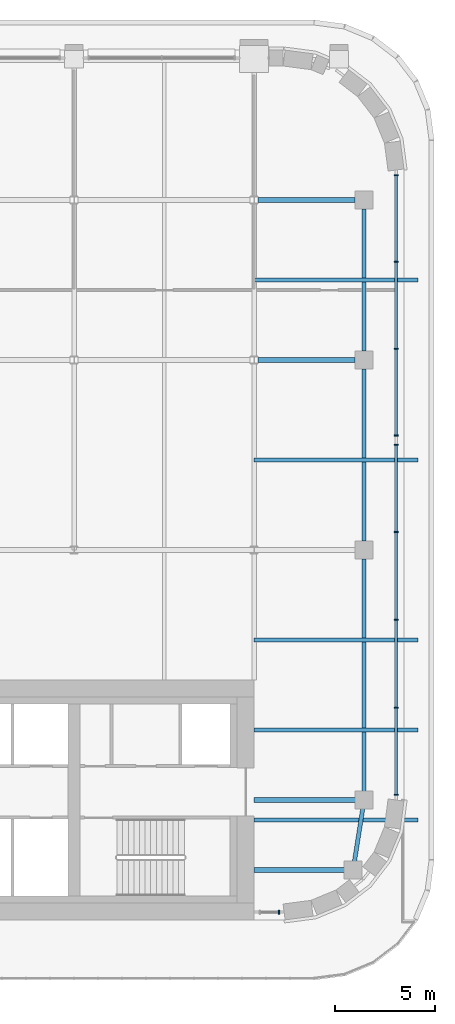
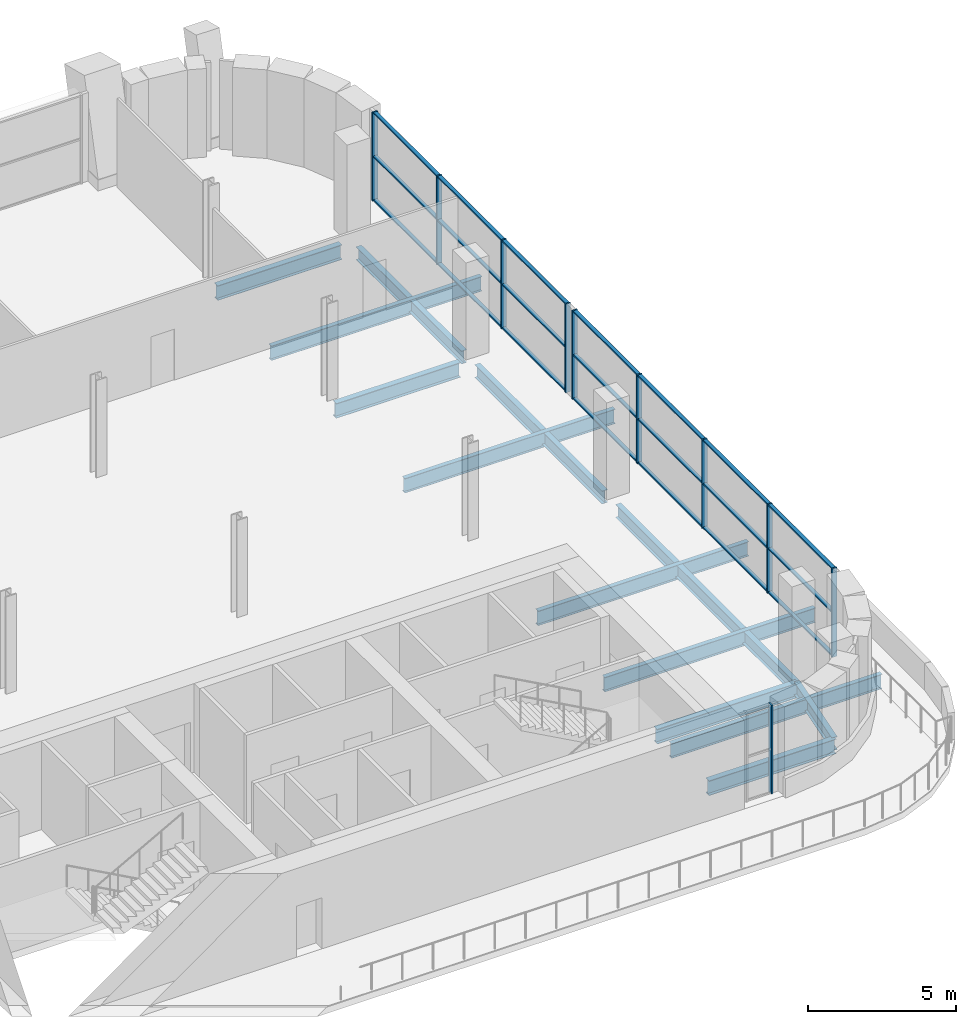
# One storey, part 9 of 23: 31 members, 13 beams, 3 elements without a shape of their own.
"""IFC4 building model written with IfcOpenShell, lengths in metres."""

from ifc_helpers import new_model, si_unit, direction, frame, origin, origin_2d, place, context, subcontext, project, spatial, rectangle, i_section, extrude, material, material_profile, profile_set, type_object, element, aggregate, save


model = new_model("IFC4")

# Units and contexts
model_context = context("Model", 3, precision=1e-05, world=origin(), true_north=direction((0.0, 1.0)))
body_context = subcontext(model_context, "Body", "Model", "MODEL_VIEW")
ifc_project = project(units=[si_unit("LENGTHUNIT", "METRE"), si_unit("AREAUNIT", "SQUARE_METRE"), si_unit("VOLUMEUNIT", "CUBIC_METRE"), si_unit("PLANEANGLEUNIT", "RADIAN"), si_unit("MASSUNIT", "GRAM", prefix="KILO")], contexts=[model_context])

# Site, building, storey
site_placement = place(None, origin())
site = spatial("IfcSite", under=ifc_project, at=site_placement, CompositionType="ELEMENT")
building_placement = place(site_placement, origin())
building = spatial("IfcBuilding", under=site, at=building_placement, Name="Zellij Exchange Tower", CompositionType="ELEMENT")
storey_placement = place(building_placement, frame((0.0, 0.0, 212.5)))
storey = spatial("IfcBuildingStorey", under=building, at=storey_placement, Name="L49", CompositionType="ELEMENT", Elevation=212.5)

# Curtain wall, member
ifc_material_1 = material(Name="Aluminium frame, clear insulating glass", Category="aluminium")
curtain_wall_type = type_object("IfcCurtainWallType", Name="ENV-CW6 Sky-lobby glazing", PredefinedType="NOTDEFINED", material=ifc_material_1)
curtain_wall_1_placement = place(storey_placement, origin())
curtain_wall_1 = element("IfcCurtainWall", 1, at=curtain_wall_1_placement, inside=storey, type_object=curtain_wall_type, Name="cw.L49.00b", PredefinedType="NOTDEFINED")
ifc_material_2 = material(Name="Aluminium", Category="aluminium")
ifc_material_profile_1 = material_profile(ifc_material_2, rectangle(XDim=0.06005859375, YDim=0.199951171875, at=origin_2d()), Name="AL 60x200")
ifc_profile_set_1 = profile_set([ifc_material_profile_1], Name="Aluminium")
member_type_1 = type_object("IfcMemberType", Name="ENV-CW6M Mullion 60x200", PredefinedType="MULLION", material=ifc_profile_set_1)
member_1_placement = place(storey_placement, frame((28.243896484375, -13.60009765625, 0.0), z_axis=(0.0, 0.0, 1.0), x_axis=(1.0, 0.0, 0.0)))
member_1 = element("IfcMember", 2, at=member_1_placement, type_object=member_type_1, Name="CW6 mullion 2", PredefinedType="MULLION", context=body_context, shape_type="SweptSolid", body=[
    extrude(rectangle(XDim=0.06005859375, YDim=0.199951171875, at=origin_2d()), origin(), (0.0, 0.0, 1.0), 3.64990234375),
])
aggregate(curtain_wall_1, [member_1])

# Curtain wall, members
curtain_wall_2_placement = place(storey_placement, origin())
curtain_wall_2 = element("IfcCurtainWall", 3, at=curtain_wall_2_placement, inside=storey, type_object=curtain_wall_type, Name="cw.L49.07a", PredefinedType="NOTDEFINED")
member_2_placement = place(storey_placement, frame((34.10009765625, -7.743896484375, 0.0), z_axis=(0.0, 0.0, 1.0), x_axis=(0.0, 1.0, 0.0)))
member_2 = element("IfcMember", 4, at=member_2_placement, type_object=member_type_1, Name="CW6 mullion 1", PredefinedType="MULLION", context=body_context, shape_type="SweptSolid", body=[
    extrude(rectangle(XDim=0.06005859375, YDim=0.199951171875, at=origin_2d()), origin(), (0.0, 0.0, 1.0), 3.64990234375),
])
member_3_placement = place(storey_placement, frame((34.10009765625, -3.38134765625, 0.0), z_axis=(0.0, 0.0, 1.0), x_axis=(0.0, 1.0, 0.0)))
member_3 = element("IfcMember", 5, at=member_3_placement, type_object=member_type_1, Name="CW6 mullion 2", PredefinedType="MULLION", context=body_context, shape_type="SweptSolid", body=[
    extrude(rectangle(XDim=0.06005859375, YDim=0.199951171875, at=origin_2d()), origin(), (0.0, 0.0, 1.0), 3.64990234375),
])
member_4_placement = place(storey_placement, frame((34.10009765625, 1.01123046875, 0.0), z_axis=(0.0, 0.0, 1.0), x_axis=(0.0, 1.0, 0.0)))
member_4 = element("IfcMember", 6, at=member_4_placement, type_object=member_type_1, Name="CW6 mullion 3", PredefinedType="MULLION", context=body_context, shape_type="SweptSolid", body=[
    extrude(rectangle(XDim=0.06005859375, YDim=0.199951171875, at=origin_2d()), origin(), (0.0, 0.0, 1.0), 3.64990234375),
])
member_5_placement = place(storey_placement, frame((34.10009765625, 5.40380859375, 0.0), z_axis=(0.0, 0.0, 1.0), x_axis=(0.0, 1.0, 0.0)))
member_5 = element("IfcMember", 7, at=member_5_placement, type_object=member_type_1, Name="CW6 mullion 4", PredefinedType="MULLION", context=body_context, shape_type="SweptSolid", body=[
    extrude(rectangle(XDim=0.06005859375, YDim=0.199951171875, at=origin_2d()), origin(), (0.0, 0.0, 1.0), 3.64990234375),
])
member_6_placement = place(storey_placement, frame((34.10009765625, 9.76611328125, 0.0), z_axis=(0.0, 0.0, 1.0), x_axis=(0.0, 1.0, 0.0)))
member_6 = element("IfcMember", 8, at=member_6_placement, type_object=member_type_1, Name="CW6 mullion 5", PredefinedType="MULLION", context=body_context, shape_type="SweptSolid", body=[
    extrude(rectangle(XDim=0.06005859375, YDim=0.199951171875, at=origin_2d()), origin(), (0.0, 0.0, 1.0), 3.64990234375),
])

curtain_wall_3_placement = place(storey_placement, origin())
curtain_wall_3 = element("IfcCurtainWall", 9, at=curtain_wall_3_placement, inside=storey, type_object=curtain_wall_type, Name="cw.L49.07b", PredefinedType="NOTDEFINED")
member_7_placement = place(storey_placement, frame((34.10009765625, 10.226318359375, 0.0), z_axis=(0.0, 0.0, 1.0), x_axis=(0.0, 1.0, 0.0)))
member_7 = element("IfcMember", 10, at=member_7_placement, type_object=member_type_1, Name="CW6 mullion 1", PredefinedType="MULLION", context=body_context, shape_type="SweptSolid", body=[
    extrude(rectangle(XDim=0.06005859375, YDim=0.199951171875, at=origin_2d()), origin(), (0.0, 0.0, 1.0), 3.64990234375),
])
member_8_placement = place(storey_placement, frame((34.10009765625, 14.555419921875, 0.0), z_axis=(0.0, 0.0, 1.0), x_axis=(0.0, 1.0, 0.0)))
member_8 = element("IfcMember", 11, at=member_8_placement, type_object=member_type_1, Name="CW6 mullion 2", PredefinedType="MULLION", context=body_context, shape_type="SweptSolid", body=[
    extrude(rectangle(XDim=0.06005859375, YDim=0.199951171875, at=origin_2d()), origin(), (0.0, 0.0, 1.0), 3.64990234375),
])
member_9_placement = place(storey_placement, frame((34.10009765625, 18.91455078125, 0.0), z_axis=(0.0, 0.0, 1.0), x_axis=(0.0, 1.0, 0.0)))
member_9 = element("IfcMember", 12, at=member_9_placement, type_object=member_type_1, Name="CW6 mullion 3", PredefinedType="MULLION", context=body_context, shape_type="SweptSolid", body=[
    extrude(rectangle(XDim=0.06005859375, YDim=0.199951171875, at=origin_2d()), origin(), (0.0, 0.0, 1.0), 3.64990234375),
])
member_10_placement = place(storey_placement, frame((34.10009765625, 23.243896484375, 0.0), z_axis=(0.0, 0.0, 1.0), x_axis=(0.0, 1.0, 0.0)))
member_10 = element("IfcMember", 13, at=member_10_placement, type_object=member_type_1, Name="CW6 mullion 4", PredefinedType="MULLION", context=body_context, shape_type="SweptSolid", body=[
    extrude(rectangle(XDim=0.06005859375, YDim=0.199951171875, at=origin_2d()), origin(), (0.0, 0.0, 1.0), 3.64990234375),
])

# Member
ifc_material_profile_2 = material_profile(ifc_material_2, rectangle(XDim=0.139892578125, YDim=0.06005859375, at=origin_2d()), Name="AL 140x60")
ifc_profile_set_2 = profile_set([ifc_material_profile_2], Name="Aluminium")
member_type_2 = type_object("IfcMemberType", Name="ENV-CW6T Transom 140x60", PredefinedType="USERDEFINED", material=ifc_profile_set_2)
member_11_placement = place(storey_placement, frame((34.10009765625, -7.7138671875, 0.030029296875), z_axis=(0.0, 1.0, 0.0), x_axis=(-1.0, 0.0, 0.0)))
member_11 = element("IfcMember", 14, at=member_11_placement, type_object=member_type_2, Name="CW6 transom 1.1", ObjectType="TRANSOM", PredefinedType="USERDEFINED", context=body_context, shape_type="SweptSolid", body=[
    extrude(rectangle(XDim=0.139892578125, YDim=0.06005859375, at=origin_2d()), origin(), (0.0, 0.0, 1.0), 4.302490234375),
])

member_12_placement = place(storey_placement, frame((34.10009765625, -7.7138671875, 1.824951171875), z_axis=(0.0, 1.0, 0.0), x_axis=(-1.0, 0.0, 0.0)))
member_12 = element("IfcMember", 15, at=member_12_placement, type_object=member_type_2, Name="CW6 transom 1.2", ObjectType="TRANSOM", PredefinedType="USERDEFINED", context=body_context, shape_type="SweptSolid", body=[
    extrude(rectangle(XDim=0.139892578125, YDim=0.06005859375, at=origin_2d()), origin(), (0.0, 0.0, 1.0), 4.302490234375),
])

member_13_placement = place(storey_placement, frame((34.10009765625, -7.7138671875, 3.6201171875), z_axis=(0.0, 1.0, 0.0), x_axis=(-1.0, 0.0, 0.0)))
member_13 = element("IfcMember", 16, at=member_13_placement, type_object=member_type_2, Name="CW6 transom 1.3", ObjectType="TRANSOM", PredefinedType="USERDEFINED", context=body_context, shape_type="SweptSolid", body=[
    extrude(rectangle(XDim=0.139892578125, YDim=0.06005859375, at=origin_2d()), origin(), (0.0, 0.0, 1.0), 4.302490234375),
])

member_14_placement = place(storey_placement, frame((34.10009765625, -3.351318359375, 0.030029296875), z_axis=(0.0, 1.0, 0.0), x_axis=(-1.0, 0.0, 0.0)))
member_14 = element("IfcMember", 17, at=member_14_placement, type_object=member_type_2, Name="CW6 transom 2.1", ObjectType="TRANSOM", PredefinedType="USERDEFINED", context=body_context, shape_type="SweptSolid", body=[
    extrude(rectangle(XDim=0.139892578125, YDim=0.06005859375, at=origin_2d()), origin(), (0.0, 0.0, 1.0), 4.33251953125),
])

member_15_placement = place(storey_placement, frame((34.10009765625, -3.351318359375, 1.824951171875), z_axis=(0.0, 1.0, 0.0), x_axis=(-1.0, 0.0, 0.0)))
member_15 = element("IfcMember", 18, at=member_15_placement, type_object=member_type_2, Name="CW6 transom 2.2", ObjectType="TRANSOM", PredefinedType="USERDEFINED", context=body_context, shape_type="SweptSolid", body=[
    extrude(rectangle(XDim=0.139892578125, YDim=0.06005859375, at=origin_2d()), origin(), (0.0, 0.0, 1.0), 4.33251953125),
])

member_16_placement = place(storey_placement, frame((34.10009765625, -3.351318359375, 3.6201171875), z_axis=(0.0, 1.0, 0.0), x_axis=(-1.0, 0.0, 0.0)))
member_16 = element("IfcMember", 19, at=member_16_placement, type_object=member_type_2, Name="CW6 transom 2.3", ObjectType="TRANSOM", PredefinedType="USERDEFINED", context=body_context, shape_type="SweptSolid", body=[
    extrude(rectangle(XDim=0.139892578125, YDim=0.06005859375, at=origin_2d()), origin(), (0.0, 0.0, 1.0), 4.33251953125),
])

member_17_placement = place(storey_placement, frame((34.10009765625, 1.041259765625, 0.030029296875), z_axis=(0.0, 1.0, 0.0), x_axis=(-1.0, 0.0, 0.0)))
member_17 = element("IfcMember", 20, at=member_17_placement, type_object=member_type_2, Name="CW6 transom 3.1", ObjectType="TRANSOM", PredefinedType="USERDEFINED", context=body_context, shape_type="SweptSolid", body=[
    extrude(rectangle(XDim=0.139892578125, YDim=0.06005859375, at=origin_2d()), origin(), (0.0, 0.0, 1.0), 4.33251953125),
])

member_18_placement = place(storey_placement, frame((34.10009765625, 1.041259765625, 1.824951171875), z_axis=(0.0, 1.0, 0.0), x_axis=(-1.0, 0.0, 0.0)))
member_18 = element("IfcMember", 21, at=member_18_placement, type_object=member_type_2, Name="CW6 transom 3.2", ObjectType="TRANSOM", PredefinedType="USERDEFINED", context=body_context, shape_type="SweptSolid", body=[
    extrude(rectangle(XDim=0.139892578125, YDim=0.06005859375, at=origin_2d()), origin(), (0.0, 0.0, 1.0), 4.33251953125),
])

member_19_placement = place(storey_placement, frame((34.10009765625, 1.041259765625, 3.6201171875), z_axis=(0.0, 1.0, 0.0), x_axis=(-1.0, 0.0, 0.0)))
member_19 = element("IfcMember", 22, at=member_19_placement, type_object=member_type_2, Name="CW6 transom 3.3", ObjectType="TRANSOM", PredefinedType="USERDEFINED", context=body_context, shape_type="SweptSolid", body=[
    extrude(rectangle(XDim=0.139892578125, YDim=0.06005859375, at=origin_2d()), origin(), (0.0, 0.0, 1.0), 4.33251953125),
])

member_20_placement = place(storey_placement, frame((34.10009765625, 5.43359375, 0.030029296875), z_axis=(0.0, 1.0, 0.0), x_axis=(-1.0, 0.0, 0.0)))
member_20 = element("IfcMember", 23, at=member_20_placement, type_object=member_type_2, Name="CW6 transom 4.1", ObjectType="TRANSOM", PredefinedType="USERDEFINED", context=body_context, shape_type="SweptSolid", body=[
    extrude(rectangle(XDim=0.139892578125, YDim=0.06005859375, at=origin_2d()), origin(), (0.0, 0.0, 1.0), 4.302490234375),
])

member_21_placement = place(storey_placement, frame((34.10009765625, 5.43359375, 1.824951171875), z_axis=(0.0, 1.0, 0.0), x_axis=(-1.0, 0.0, 0.0)))
member_21 = element("IfcMember", 24, at=member_21_placement, type_object=member_type_2, Name="CW6 transom 4.2", ObjectType="TRANSOM", PredefinedType="USERDEFINED", context=body_context, shape_type="SweptSolid", body=[
    extrude(rectangle(XDim=0.139892578125, YDim=0.06005859375, at=origin_2d()), origin(), (0.0, 0.0, 1.0), 4.302490234375),
])

member_22_placement = place(storey_placement, frame((34.10009765625, 5.43359375, 3.6201171875), z_axis=(0.0, 1.0, 0.0), x_axis=(-1.0, 0.0, 0.0)))
member_22 = element("IfcMember", 25, at=member_22_placement, type_object=member_type_2, Name="CW6 transom 4.3", ObjectType="TRANSOM", PredefinedType="USERDEFINED", context=body_context, shape_type="SweptSolid", body=[
    extrude(rectangle(XDim=0.139892578125, YDim=0.06005859375, at=origin_2d()), origin(), (0.0, 0.0, 1.0), 4.302490234375),
])

aggregate(curtain_wall_2, [member_2, member_3, member_4, member_5, member_6, member_11, member_12, member_13, member_14, member_15, member_16, member_17, member_18, member_19, member_20, member_21, member_22])

member_23_placement = place(storey_placement, frame((34.10009765625, 10.256103515625, 0.030029296875), z_axis=(0.0, 1.0, 0.0), x_axis=(-1.0, 0.0, 0.0)))
member_23 = element("IfcMember", 26, at=member_23_placement, type_object=member_type_2, Name="CW6 transom 1.1", ObjectType="TRANSOM", PredefinedType="USERDEFINED", context=body_context, shape_type="SweptSolid", body=[
    extrude(rectangle(XDim=0.139892578125, YDim=0.06005859375, at=origin_2d()), origin(), (0.0, 0.0, 1.0), 4.269287109375),
])

member_24_placement = place(storey_placement, frame((34.10009765625, 10.256103515625, 1.824951171875), z_axis=(0.0, 1.0, 0.0), x_axis=(-1.0, 0.0, 0.0)))
member_24 = element("IfcMember", 27, at=member_24_placement, type_object=member_type_2, Name="CW6 transom 1.2", ObjectType="TRANSOM", PredefinedType="USERDEFINED", context=body_context, shape_type="SweptSolid", body=[
    extrude(rectangle(XDim=0.139892578125, YDim=0.06005859375, at=origin_2d()), origin(), (0.0, 0.0, 1.0), 4.269287109375),
])

member_25_placement = place(storey_placement, frame((34.10009765625, 10.256103515625, 3.6201171875), z_axis=(0.0, 1.0, 0.0), x_axis=(-1.0, 0.0, 0.0)))
member_25 = element("IfcMember", 28, at=member_25_placement, type_object=member_type_2, Name="CW6 transom 1.3", ObjectType="TRANSOM", PredefinedType="USERDEFINED", context=body_context, shape_type="SweptSolid", body=[
    extrude(rectangle(XDim=0.139892578125, YDim=0.06005859375, at=origin_2d()), origin(), (0.0, 0.0, 1.0), 4.269287109375),
])

member_26_placement = place(storey_placement, frame((34.10009765625, 14.58544921875, 0.030029296875), z_axis=(0.0, 1.0, 0.0), x_axis=(-1.0, 0.0, 0.0)))
member_26 = element("IfcMember", 29, at=member_26_placement, type_object=member_type_2, Name="CW6 transom 2.1", ObjectType="TRANSOM", PredefinedType="USERDEFINED", context=body_context, shape_type="SweptSolid", body=[
    extrude(rectangle(XDim=0.139892578125, YDim=0.06005859375, at=origin_2d()), origin(), (0.0, 0.0, 1.0), 4.299072265625),
])

member_27_placement = place(storey_placement, frame((34.10009765625, 14.58544921875, 1.824951171875), z_axis=(0.0, 1.0, 0.0), x_axis=(-1.0, 0.0, 0.0)))
member_27 = element("IfcMember", 30, at=member_27_placement, type_object=member_type_2, Name="CW6 transom 2.2", ObjectType="TRANSOM", PredefinedType="USERDEFINED", context=body_context, shape_type="SweptSolid", body=[
    extrude(rectangle(XDim=0.139892578125, YDim=0.06005859375, at=origin_2d()), origin(), (0.0, 0.0, 1.0), 4.299072265625),
])

member_28_placement = place(storey_placement, frame((34.10009765625, 14.58544921875, 3.6201171875), z_axis=(0.0, 1.0, 0.0), x_axis=(-1.0, 0.0, 0.0)))
member_28 = element("IfcMember", 31, at=member_28_placement, type_object=member_type_2, Name="CW6 transom 2.3", ObjectType="TRANSOM", PredefinedType="USERDEFINED", context=body_context, shape_type="SweptSolid", body=[
    extrude(rectangle(XDim=0.139892578125, YDim=0.06005859375, at=origin_2d()), origin(), (0.0, 0.0, 1.0), 4.299072265625),
])

member_29_placement = place(storey_placement, frame((34.10009765625, 18.944580078125, 0.030029296875), z_axis=(0.0, 1.0, 0.0), x_axis=(-1.0, 0.0, 0.0)))
member_29 = element("IfcMember", 32, at=member_29_placement, type_object=member_type_2, Name="CW6 transom 3.1", ObjectType="TRANSOM", PredefinedType="USERDEFINED", context=body_context, shape_type="SweptSolid", body=[
    extrude(rectangle(XDim=0.139892578125, YDim=0.06005859375, at=origin_2d()), origin(), (0.0, 0.0, 1.0), 4.269287109375),
])

member_30_placement = place(storey_placement, frame((34.10009765625, 18.944580078125, 1.824951171875), z_axis=(0.0, 1.0, 0.0), x_axis=(-1.0, 0.0, 0.0)))
member_30 = element("IfcMember", 33, at=member_30_placement, type_object=member_type_2, Name="CW6 transom 3.2", ObjectType="TRANSOM", PredefinedType="USERDEFINED", context=body_context, shape_type="SweptSolid", body=[
    extrude(rectangle(XDim=0.139892578125, YDim=0.06005859375, at=origin_2d()), origin(), (0.0, 0.0, 1.0), 4.269287109375),
])

member_31_placement = place(storey_placement, frame((34.10009765625, 18.944580078125, 3.6201171875), z_axis=(0.0, 1.0, 0.0), x_axis=(-1.0, 0.0, 0.0)))
member_31 = element("IfcMember", 34, at=member_31_placement, type_object=member_type_2, Name="CW6 transom 3.3", ObjectType="TRANSOM", PredefinedType="USERDEFINED", context=body_context, shape_type="SweptSolid", body=[
    extrude(rectangle(XDim=0.139892578125, YDim=0.06005859375, at=origin_2d()), origin(), (0.0, 0.0, 1.0), 4.269287109375),
])

aggregate(curtain_wall_3, [member_7, member_8, member_9, member_10, member_23, member_24, member_25, member_26, member_27, member_28, member_29, member_30, member_31])

# Beams
ifc_material_3 = material(Name="Structural steel ASTM A992 Gr 50", Category="steel")
ifc_material_profile_3 = material_profile(ifc_material_3, i_section(OverallWidth=0.177978515625, OverallDepth=0.599365234375, WebThickness=0.010009765625, FlangeThickness=0.012939453125, at=origin_2d()), Name="W24x55")
ifc_profile_set_3 = profile_set([ifc_material_profile_3], Name="Structural steel ASTM A992 Gr 50")
beam_type_1 = type_object("IfcBeamType", Name="STR-BEAM W24x55", PredefinedType="BEAM", material=ifc_profile_set_3)
for number, where, z_axis, x_axis, name in (
    (35, (27.0, -9.0, -0.599609375), (1.0, 0.0, 0.0), (0.0, 1.0, 0.0), "B4"),
    (36, (27.0, -4.5, -0.599609375), (1.0, 0.0, 0.0), (0.0, 1.0, 0.0), "B4"),
    (37, (27.0, 0.0, -0.599609375), (1.0, 0.0, 0.0), (0.0, 1.0, 0.0), "B4"),
    (38, (27.0, 9.0, -0.599609375), (1.0, 0.0, 0.0), (0.0, 1.0, 0.0), "B4"),
    (39, (27.0, 18.0, -0.599609375), (1.0, 0.0, 0.0), (0.0, 1.0, 0.0), "B4"),
):
    element("IfcBeam", number, at=place(storey_placement, frame(where, z_axis=z_axis, x_axis=x_axis)), inside=storey, type_object=beam_type_1, Name=name, PredefinedType="BEAM", context=body_context, shape_type="SweptSolid", body=[
        extrude(i_section(OverallWidth=0.177978515625, OverallDepth=0.599365234375, WebThickness=0.010009765625, FlangeThickness=0.012939453125, at=origin_2d()), origin(), (0.0, 0.0, 1.0), 8.199951171875),
    ])
ifc_material_profile_4 = material_profile(ifc_material_3, i_section(OverallWidth=0.209228515625, OverallDepth=0.533447265625, WebThickness=0.01025390625, FlangeThickness=0.015625, at=origin_2d()), Name="W21x62")
ifc_profile_set_4 = profile_set([ifc_material_profile_4], Name="Structural steel ASTM A992 Gr 50")
beam_type_2 = type_object("IfcBeamType", Name="STR-EDGE GIRDER W21x62", PredefinedType="BEAM", material=ifc_profile_set_4)
beam_1_placement = place(storey_placement, frame((31.949951171875, -11.5, -0.566650390625), z_axis=(0.155251283593, 0.987875011802, 0.0), x_axis=(-0.987875011802, 0.155251283593, 0.0)))
element("IfcBeam", 40, at=beam_1_placement, inside=storey, type_object=beam_type_2, Name="EB3", PredefinedType="BEAM", context=body_context, shape_type="SweptSolid", body=[
    extrude(i_section(OverallWidth=0.209228515625, OverallDepth=0.533447265625, WebThickness=0.01025390625, FlangeThickness=0.015625, at=origin_2d()), origin(), (0.0, 0.0, 1.0), 3.54296875),
])
beam_2_placement = place(storey_placement, frame((32.5, -8.0, -0.566650390625), z_axis=(0.0, 1.0, 0.0), x_axis=(-1.0, 0.0, 0.0)))
element("IfcBeam", 41, at=beam_2_placement, inside=storey, type_object=beam_type_2, Name="EB3", PredefinedType="BEAM", context=body_context, shape_type="SweptSolid", body=[
    extrude(i_section(OverallWidth=0.209228515625, OverallDepth=0.533447265625, WebThickness=0.01025390625, FlangeThickness=0.015625, at=origin_2d()), origin(), (0.0, 0.0, 1.0), 12.050048828125),
])
beam_3_placement = place(storey_placement, frame((32.5, 4.949951171875, -0.566650390625), z_axis=(0.0, 1.0, 0.0), x_axis=(-1.0, 0.0, 0.0)))
element("IfcBeam", 42, at=beam_3_placement, inside=storey, type_object=beam_type_2, Name="EB3", PredefinedType="BEAM", context=body_context, shape_type="SweptSolid", body=[
    extrude(i_section(OverallWidth=0.209228515625, OverallDepth=0.533447265625, WebThickness=0.01025390625, FlangeThickness=0.015625, at=origin_2d()), origin(), (0.0, 0.0, 1.0), 8.60009765625),
])
beam_4_placement = place(storey_placement, frame((32.5, 14.449951171875, -0.566650390625), z_axis=(0.0, 1.0, 0.0), x_axis=(-1.0, 0.0, 0.0)))
element("IfcBeam", 43, at=beam_4_placement, inside=storey, type_object=beam_type_2, Name="EB3", PredefinedType="BEAM", context=body_context, shape_type="SweptSolid", body=[
    extrude(i_section(OverallWidth=0.209228515625, OverallDepth=0.533447265625, WebThickness=0.01025390625, FlangeThickness=0.015625, at=origin_2d()), origin(), (0.0, 0.0, 1.0), 7.10009765625),
])
ifc_material_profile_5 = material_profile(ifc_material_3, i_section(OverallWidth=0.228271484375, OverallDepth=0.607177734375, WebThickness=0.01123046875, FlangeThickness=0.017333984375, at=origin_2d()), Name="W24x76")
ifc_profile_set_5 = profile_set([ifc_material_profile_5], Name="Structural steel ASTM A992 Gr 50")
beam_type_3 = type_object("IfcBeamType", Name="STR-GIRDER W24x76", PredefinedType="BEAM", material=ifc_profile_set_5)
beam_5_placement = place(storey_placement, frame((27.0, -11.5, -0.603515625), z_axis=(1.0, 0.0, 0.0), x_axis=(0.0, 1.0, 0.0)))
element("IfcBeam", 44, at=beam_5_placement, inside=storey, type_object=beam_type_3, Name="G2", PredefinedType="BEAM", context=body_context, shape_type="SweptSolid", body=[
    extrude(i_section(OverallWidth=0.228271484375, OverallDepth=0.607177734375, WebThickness=0.01123046875, FlangeThickness=0.017333984375, at=origin_2d()), origin(), (0.0, 0.0, 1.0), 4.949951171875),
])
beam_6_placement = place(storey_placement, frame((27.0, -8.0, -0.603515625), z_axis=(1.0, 0.0, 0.0), x_axis=(0.0, 1.0, 0.0)))
element("IfcBeam", 45, at=beam_6_placement, inside=storey, type_object=beam_type_3, Name="G2", PredefinedType="BEAM", context=body_context, shape_type="SweptSolid", body=[
    extrude(i_section(OverallWidth=0.228271484375, OverallDepth=0.607177734375, WebThickness=0.01123046875, FlangeThickness=0.017333984375, at=origin_2d()), origin(), (0.0, 0.0, 1.0), 5.5),
])
for number, where, z_axis, x_axis, name in (
    (46, (27.20458984375, 14.0, -0.603515625), (1.0, 0.0, 0.0), (0.0, 1.0, 0.0), "G2"),
    (47, (27.20458984375, 22.0, -0.603515625), (1.0, 0.0, 0.0), (0.0, 1.0, 0.0), "G2"),
):
    element("IfcBeam", number, at=place(storey_placement, frame(where, z_axis=z_axis, x_axis=x_axis)), inside=storey, type_object=beam_type_3, Name=name, PredefinedType="BEAM", context=body_context, shape_type="SweptSolid", body=[
        extrude(i_section(OverallWidth=0.228271484375, OverallDepth=0.607177734375, WebThickness=0.01123046875, FlangeThickness=0.017333984375, at=origin_2d()), origin(), (0.0, 0.0, 1.0), 4.845458984375),
    ])

save(model, "model.ifc")
